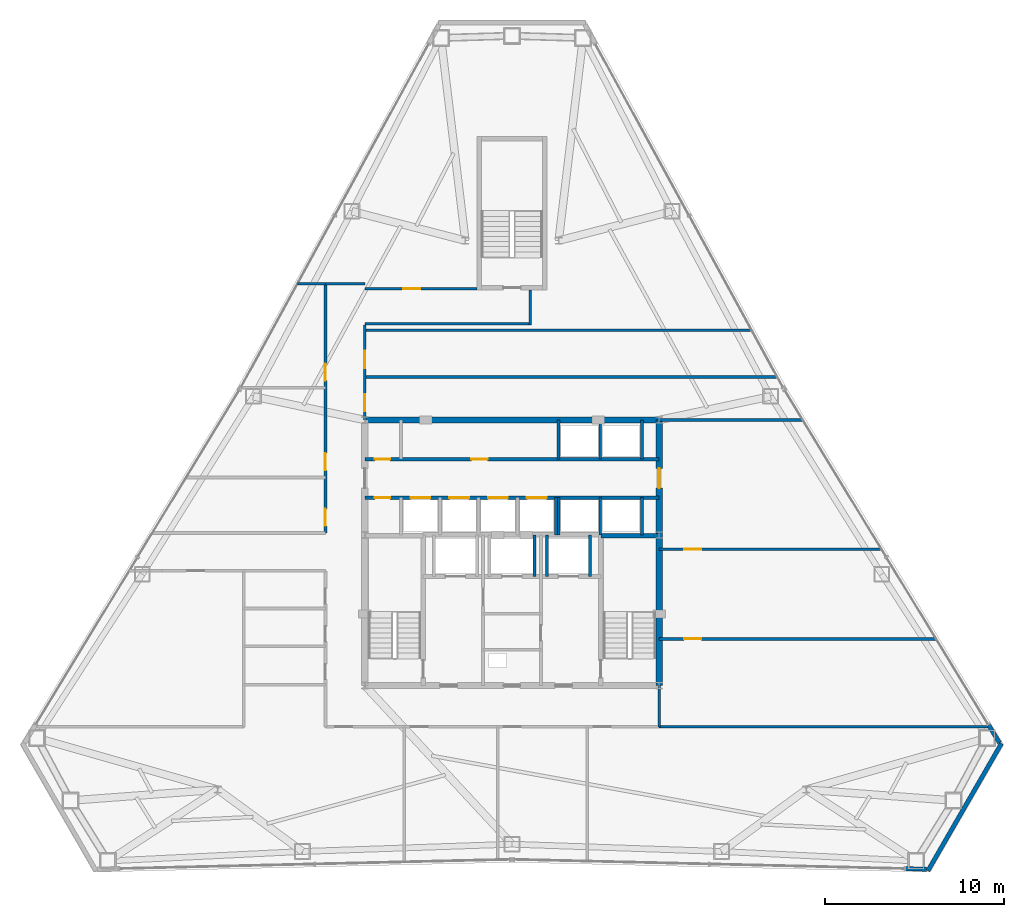
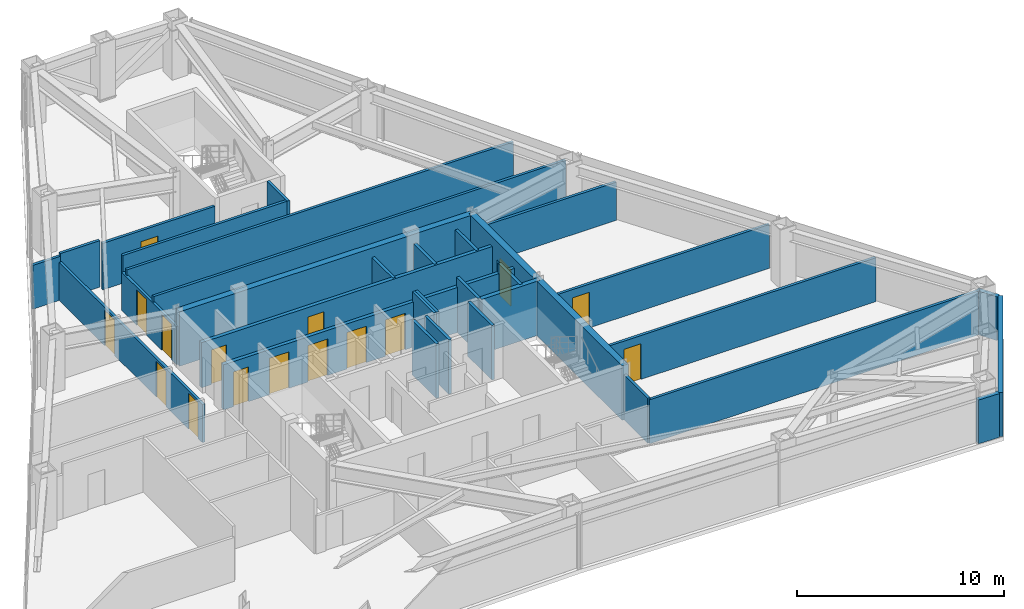
# One storey, part 9 of 11: 32 walls, 16 doors, 16 openings.
"""IFC4 building model written with IfcOpenShell, lengths in metres."""

from ifc_helpers import new_model, si_unit, direction, frame, frame_2d, origin, place, context, subcontext, project, spatial, rectangle, extrude, material, layer, layer_set, type_object, element, fill, save


model = new_model("IFC4")

# Units and contexts
model_context = context("Model", 3, precision=1e-05, world=origin(), true_north=direction((0.0, 1.0)))
body_context = subcontext(model_context, "Body", "Model", "MODEL_VIEW")
ifc_project = project(units=[si_unit("LENGTHUNIT", "METRE"), si_unit("AREAUNIT", "SQUARE_METRE"), si_unit("VOLUMEUNIT", "CUBIC_METRE"), si_unit("PLANEANGLEUNIT", "RADIAN"), si_unit("MASSUNIT", "GRAM", prefix="KILO")], contexts=[model_context])

# Site, building, storey
site_placement = place(None, origin())
site = spatial("IfcSite", under=ifc_project, at=site_placement, CompositionType="ELEMENT")
building_placement = place(site_placement, origin())
building = spatial("IfcBuilding", under=site, at=building_placement, Name="Varakhsha Concourse Tower", CompositionType="ELEMENT")
storey_placement = place(building_placement, frame((0.0, 0.0, 150.5)))
storey = spatial("IfcBuildingStorey", under=building, at=storey_placement, Name="L43", CompositionType="ELEMENT", Elevation=150.5)

# Wall
ifc_material_1 = material(Name="Concrete fc 65 MPa", Category="concrete")
ifc_layer_1 = layer(ifc_material_1, 0.35009765625, Name="WL-CORE-350")
ifc_layer_set_1 = layer_set([ifc_layer_1], Name="Concrete fc 65 MPa")
wall_type_1 = type_object("IfcWallType", Name="WL-CORE-350", PredefinedType="SHEAR", material=ifc_layer_set_1)
wall_1_placement = place(storey_placement, frame((31.800048828125, 31.199951171875, 0.0), z_axis=(0.0, 0.0, 1.0), x_axis=(1.0, 0.0, 0.0)))
element("IfcWall", 1, at=wall_1_placement, inside=storey, type_object=wall_type_1, Name="L43 Wall CWALL-N-L43", PredefinedType="SHEAR", context=body_context, shape_type="SweptSolid", body=[
    extrude(rectangle(XDim=16.39990234375, YDim=0.35009765625, at=frame_2d((8.199951171875, 0.0))), origin(), (0.0, 0.0, 1.0), 3.2099609375),
])

# Wall, opening, door
wall_2_placement = place(storey_placement, frame((48.199951171875, 16.39990234375, 0.0), z_axis=(0.0, 0.0, 1.0), x_axis=(0.0, 1.0, 0.0)))
wall_2 = element("IfcWall", 2, at=wall_2_placement, inside=storey, type_object=wall_type_1, Name="L43 Wall CWALL-E-L43", PredefinedType="SHEAR", context=body_context, shape_type="SweptSolid", body=[
    extrude(rectangle(XDim=14.800048828125, YDim=0.35009765625, at=frame_2d((7.39990234375, 0.0))), origin(), (0.0, 0.0, 1.0), 3.2099609375),
])
opening_1_placement = place(wall_2_placement, frame((11.0, 0.0, 0.0)))
opening_1 = element("IfcOpeningElement", 3, at=opening_1_placement, cuts=wall_2, Name="Opening DL-01", PredefinedType="OPENING", context=body_context, shape_type="SweptSolid", body=[
    extrude(rectangle(XDim=1.10009765625, YDim=2.14990234375, at=frame_2d((0.550048828125, 1.074951171875))), frame((0.0, 0.18505859375, 0.0), z_axis=(0.0, -1.0, 0.0), x_axis=(1.0, 0.0, 0.0)), (0.0, 0.0, 1.0), 0.3701171875),
])
ifc_material_2 = material(Name="Anodised Bronze Architectural Aluminium AA 6063-T6", Category="aluminium")
door_type_1 = type_object("IfcDoorType", Name="DR-LOB-1100", OperationType="NOTDEFINED", PredefinedType="DOOR", material=ifc_material_2)
door_1_placement = place(opening_1_placement, origin())
door_1 = element("IfcDoor", 4, at=door_1_placement, inside=storey, type_object=door_type_1, Name="L43 Lift Lobby East Concourse Door", OperationType="SINGLE_SWING_RIGHT", OverallHeight=2.14990234375, OverallWidth=1.10009765625, PredefinedType="DOOR", context=body_context, shape_type="SweptSolid", body=[
    extrude(rectangle(XDim=1.10009765625, YDim=2.14990234375, at=frame_2d((0.550048828125, 1.074951171875))), frame((0.0, 0.02490234375, 0.0), z_axis=(0.0, -1.0, 0.0), x_axis=(1.0, 0.0, 0.0)), (0.0, 0.0, 1.0), 0.050048828125),
])
fill(opening_1, door_1)

# Walls
ifc_material_3 = material(Name="Concrete fc 45 MPa", Category="concrete")
ifc_layer_2 = layer(ifc_material_3, 0.239990234375, Name="WL-EXT-CRN-240")
ifc_layer_set_2 = layer_set([ifc_layer_2], Name="Concrete fc 45 MPa")
wall_type_2 = type_object("IfcWallType", Name="WL-EXT-CRN-240", PredefinedType="SHEAR", material=ifc_layer_set_2)
wall_3_placement = place(storey_placement, frame((61.94482421875, 6.1923828125, 0.0), z_axis=(0.0, 0.0, 1.0), x_axis=(0.999723414456, -0.023517963121, 0.0)))
element("IfcWall", 5, at=wall_3_placement, inside=storey, type_object=wall_type_2, Name="L43 Wind-Corner Shoulder Wall F6", PredefinedType="SHEAR", context=body_context, shape_type="SweptSolid", body=[
    extrude(rectangle(XDim=1.16259765625, YDim=0.239990234375, at=frame_2d((0.581298828125, 0.0))), origin(), (0.0, 0.0, 1.0), 2.5830078125),
])
wall_4_placement = place(storey_placement, frame((67.28466796875, 13.181396484375, 0.0), z_axis=(0.0, 0.0, 1.0), x_axis=(-0.49999135188, -0.866030396721, 0.0)))
element("IfcWall", 6, at=wall_4_placement, inside=storey, type_object=wall_type_2, Name="L43 Chamfer Wind-Corner Insulated Wall F7", PredefinedType="SHEAR", context=body_context, shape_type="SweptSolid", body=[
    extrude(rectangle(XDim=8.199951171875, YDim=0.239990234375, at=frame_2d((4.10009765625, 0.0))), origin(), (0.0, 0.0, 1.0), 2.5830078125),
])
wall_5_placement = place(storey_placement, frame((67.172119140625, 13.2060546875, 0.0), z_axis=(0.0, 0.0, 1.0), x_axis=(-0.520166776588, 0.854064707463, 0.0)))
element("IfcWall", 7, at=wall_5_placement, inside=storey, type_object=wall_type_2, Name="L43 Wind-Corner Shoulder Wall F8", PredefinedType="SHEAR", context=body_context, shape_type="SweptSolid", body=[
    extrude(rectangle(XDim=1.16259765625, YDim=0.239990234375, at=frame_2d((0.581298828125, 0.0))), origin(), (0.0, 0.0, 1.0), 2.5830078125),
])
ifc_material_4 = material(Name="Fire-Rated Type X Gypsum Partition Assembly", Category="gypsum")
ifc_layer_3 = layer(ifc_material_4, 0.14990234375, Name="WL-PART-150")
ifc_layer_set_3 = layer_set([ifc_layer_3], Name="Fire-Rated Type X Gypsum Partition Assembly")
wall_type_3 = type_object("IfcWallType", Name="WL-PART-150", PredefinedType="PARTITIONING", material=ifc_layer_set_3)
wall_6_placement = place(storey_placement, frame((48.199951171875, 14.10009765625, 0.0), z_axis=(0.0, 0.0, 1.0), x_axis=(0.0, 1.0, 0.0)))
element("IfcWall", 8, at=wall_6_placement, inside=storey, type_object=wall_type_3, Name="L43 Wall CRW-SE-L43", PredefinedType="PARTITIONING", context=body_context, shape_type="SweptSolid", body=[
    extrude(rectangle(XDim=2.2998046875, YDim=0.14990234375, at=frame_2d((1.14990234375, 0.0))), origin(), (0.0, 0.0, 1.0), 2.660888671875),
])

# Wall, openings, doors
wall_7_placement = place(storey_placement, frame((29.60009765625, 24.89990234375, 0.0), z_axis=(0.0, 0.0, 1.0), x_axis=(0.0, 1.0, 0.0)))
wall_7 = element("IfcWall", 9, at=wall_7_placement, inside=storey, type_object=wall_type_3, Name="L43 Wall CRW-WN-L43", PredefinedType="PARTITIONING", context=body_context, shape_type="SweptSolid", body=[
    extrude(rectangle(XDim=13.900146484375, YDim=0.14990234375, at=frame_2d((6.9501953125, 0.0))), origin(), (0.0, 0.0, 1.0), 2.251953125),
])
opening_2_placement = place(wall_7_placement, frame((0.39990234375, 0.0, 0.0)))
opening_2 = element("IfcOpeningElement", 10, at=opening_2_placement, cuts=wall_7, Name="Opening DF-05", PredefinedType="OPENING", context=body_context, shape_type="SweptSolid", body=[
    extrude(rectangle(XDim=0.949951171875, YDim=2.10009765625, at=frame_2d((0.47509765625, 1.050048828125))), frame((0.0, 0.0849609375, 0.0), z_axis=(0.0, -1.0, 0.0), x_axis=(1.0, 0.0, 0.0)), (0.0, 0.0, 1.0), 0.169921875),
])
opening_3_placement = place(wall_7_placement, frame((3.5, 0.0, 0.0)))
opening_3 = element("IfcOpeningElement", 11, at=opening_3_placement, cuts=wall_7, Name="Opening DF-05", PredefinedType="OPENING", context=body_context, shape_type="SweptSolid", body=[
    extrude(rectangle(XDim=0.949951171875, YDim=2.10009765625, at=frame_2d((0.47509765625, 1.050048828125))), frame((0.0, 0.0849609375, 0.0), z_axis=(0.0, -1.0, 0.0), x_axis=(1.0, 0.0, 0.0)), (0.0, 0.0, 1.0), 0.169921875),
])
opening_4_placement = place(wall_7_placement, frame((8.5, 0.0, 0.0)))
opening_4 = element("IfcOpeningElement", 12, at=opening_4_placement, cuts=wall_7, Name="Opening DF-05", PredefinedType="OPENING", context=body_context, shape_type="SweptSolid", body=[
    extrude(rectangle(XDim=0.949951171875, YDim=2.10009765625, at=frame_2d((0.47509765625, 1.050048828125))), frame((0.0, 0.0849609375, 0.0), z_axis=(0.0, -1.0, 0.0), x_axis=(1.0, 0.0, 0.0)), (0.0, 0.0, 1.0), 0.169921875),
])
ifc_material_5 = material(Name="Hollow Galvanised Steel Fire Door Assembly", Category="steel")
door_type_2 = type_object("IfcDoorType", Name="DR-FD60-950", OperationType="NOTDEFINED", PredefinedType="DOOR", material=ifc_material_5)
door_2_placement = place(opening_2_placement, origin())
door_2 = element("IfcDoor", 13, at=door_2_placement, inside=storey, type_object=door_type_2, Name="L43 Executive Dining Pantry L43-NW Door", OperationType="SINGLE_SWING_LEFT", OverallHeight=2.10009765625, OverallWidth=0.949951171875, PredefinedType="DOOR", context=body_context, shape_type="SweptSolid", body=[
    extrude(rectangle(XDim=0.949951171875, YDim=2.10009765625, at=frame_2d((0.47509765625, 1.050048828125))), frame((0.0, 0.02490234375, 0.0), z_axis=(0.0, -1.0, 0.0), x_axis=(1.0, 0.0, 0.0)), (0.0, 0.0, 1.0), 0.050048828125),
])
fill(opening_2, door_2)
door_3_placement = place(opening_3_placement, origin())
door_3 = element("IfcDoor", 14, at=door_3_placement, inside=storey, type_object=door_type_2, Name="L43 Executive Director Suite L43-W2 Door", OperationType="SINGLE_SWING_RIGHT", OverallHeight=2.10009765625, OverallWidth=0.949951171875, PredefinedType="DOOR", context=body_context, shape_type="SweptSolid", body=[
    extrude(rectangle(XDim=0.949951171875, YDim=2.10009765625, at=frame_2d((0.47509765625, 1.050048828125))), frame((0.0, 0.02490234375, 0.0), z_axis=(0.0, -1.0, 0.0), x_axis=(1.0, 0.0, 0.0)), (0.0, 0.0, 1.0), 0.050048828125),
])
fill(opening_3, door_3)
door_4_placement = place(opening_4_placement, origin())
door_4 = element("IfcDoor", 15, at=door_4_placement, inside=storey, type_object=door_type_2, Name="L43 Executive Director Suite L43-W3 Door", OperationType="SINGLE_SWING_LEFT", OverallHeight=2.10009765625, OverallWidth=0.949951171875, PredefinedType="DOOR", context=body_context, shape_type="SweptSolid", body=[
    extrude(rectangle(XDim=0.949951171875, YDim=2.10009765625, at=frame_2d((0.47509765625, 1.050048828125))), frame((0.0, 0.02490234375, 0.0), z_axis=(0.0, -1.0, 0.0), x_axis=(1.0, 0.0, 0.0)), (0.0, 0.0, 1.0), 0.050048828125),
])
fill(opening_4, door_4)

wall_8_placement = place(storey_placement, frame((31.800048828125, 31.199951171875, 0.0), z_axis=(0.0, 0.0, 1.0), x_axis=(0.0, 1.0, 0.0)))
wall_8 = element("IfcWall", 16, at=wall_8_placement, inside=storey, type_object=wall_type_3, Name="L43 Wall CRW-NE-L43", PredefinedType="PARTITIONING", context=body_context, shape_type="SweptSolid", body=[
    extrude(rectangle(XDim=5.300048828125, YDim=0.14990234375, at=frame_2d((2.64990234375, 0.0))), origin(), (0.0, 0.0, 1.0), 2.251953125),
])
opening_5_placement = place(wall_8_placement, frame((0.5, 0.0, 0.0)))
opening_5 = element("IfcOpeningElement", 17, at=opening_5_placement, cuts=wall_8, Name="Opening DF-05", PredefinedType="OPENING", context=body_context, shape_type="SweptSolid", body=[
    extrude(rectangle(XDim=0.949951171875, YDim=2.10009765625, at=frame_2d((0.47509765625, 1.050048828125))), frame((0.0, 0.0849609375, 0.0), z_axis=(0.0, -1.0, 0.0), x_axis=(1.0, 0.0, 0.0)), (0.0, 0.0, 1.0), 0.169921875),
])
opening_6_placement = place(wall_8_placement, frame((2.89990234375, 0.0, 0.0)))
opening_6 = element("IfcOpeningElement", 18, at=opening_6_placement, cuts=wall_8, Name="Opening DF-05", PredefinedType="OPENING", context=body_context, shape_type="SweptSolid", body=[
    extrude(rectangle(XDim=0.949951171875, YDim=2.10009765625, at=frame_2d((0.47509765625, 1.050048828125))), frame((0.0, 0.0849609375, 0.0), z_axis=(0.0, -1.0, 0.0), x_axis=(1.0, 0.0, 0.0)), (0.0, 0.0, 1.0), 0.169921875),
])
door_5_placement = place(opening_5_placement, origin())
door_5 = element("IfcDoor", 19, at=door_5_placement, inside=storey, type_object=door_type_2, Name="L43 Mountain View Grand Corner Boardroom L43-NE1 Door", OperationType="SINGLE_SWING_RIGHT", OverallHeight=2.10009765625, OverallWidth=0.949951171875, PredefinedType="DOOR", context=body_context, shape_type="SweptSolid", body=[
    extrude(rectangle(XDim=0.949951171875, YDim=2.10009765625, at=frame_2d((0.47509765625, 1.050048828125))), frame((0.0, 0.02490234375, 0.0), z_axis=(0.0, -1.0, 0.0), x_axis=(1.0, 0.0, 0.0)), (0.0, 0.0, 1.0), 0.050048828125),
])
fill(opening_5, door_5)
door_6_placement = place(opening_6_placement, origin())
door_6 = element("IfcDoor", 20, at=door_6_placement, inside=storey, type_object=door_type_2, Name="L43 Apex Executive Director Suite L43-NE2 Door", OperationType="SINGLE_SWING_RIGHT", OverallHeight=2.10009765625, OverallWidth=0.949951171875, PredefinedType="DOOR", context=body_context, shape_type="SweptSolid", body=[
    extrude(rectangle(XDim=0.949951171875, YDim=2.10009765625, at=frame_2d((0.47509765625, 1.050048828125))), frame((0.0, 0.02490234375, 0.0), z_axis=(0.0, -1.0, 0.0), x_axis=(1.0, 0.0, 0.0)), (0.0, 0.0, 1.0), 0.050048828125),
])
fill(opening_6, door_6)

# Walls
wall_9_placement = place(storey_placement, frame((29.60009765625, 38.800048828125, 0.0), z_axis=(0.0, 0.0, 1.0), x_axis=(1.0, 0.0, 0.0)))
element("IfcWall", 21, at=wall_9_placement, inside=storey, type_object=wall_type_3, Name="L43 Wall CRW-NCAP-L43", PredefinedType="PARTITIONING", context=body_context, shape_type="SweptSolid", body=[
    extrude(rectangle(XDim=2.199951171875, YDim=0.14990234375, at=frame_2d((1.10009765625, 0.0))), origin(), (0.0, 0.0, 1.0), 2.742919921875),
])
wall_10_placement = place(storey_placement, frame((28.054443359375, 38.800048828125, 0.0), z_axis=(0.0, 0.0, 1.0), x_axis=(1.0, 0.0, 0.0)))
element("IfcWall", 22, at=wall_10_placement, inside=storey, type_object=wall_type_3, Name="L43 Wall ODIV-NWT-L43", PredefinedType="PARTITIONING", context=body_context, shape_type="SweptSolid", body=[
    extrude(rectangle(XDim=1.545654296875, YDim=0.14990234375, at=frame_2d((0.77294921875, 0.0))), origin(), (0.0, 0.0, 1.0), 2.589111328125),
])
wall_11_placement = place(storey_placement, frame((48.199951171875, 31.199951171875, 0.0), z_axis=(0.0, 0.0, 1.0), x_axis=(1.0, 0.0, 0.0)))
element("IfcWall", 23, at=wall_11_placement, inside=storey, type_object=wall_type_3, Name="L43 Wall ODIV-NEB-L43", PredefinedType="PARTITIONING", context=body_context, shape_type="SweptSolid", body=[
    extrude(rectangle(XDim=8.00830078125, YDim=0.14990234375, at=frame_2d((4.004150390625, 0.0))), origin(), (0.0, 0.0, 1.0), 2.251953125),
])
wall_12_placement = place(storey_placement, frame((31.800048828125, 33.60009765625, 0.0), z_axis=(0.0, 0.0, 1.0), x_axis=(1.0, 0.0, 0.0)))
element("IfcWall", 24, at=wall_12_placement, inside=storey, type_object=wall_type_3, Name="L43 Wall ODIV-NE1-L43", PredefinedType="PARTITIONING", context=body_context, shape_type="SweptSolid", body=[
    extrude(rectangle(XDim=22.987548828125, YDim=0.14990234375, at=frame_2d((11.49365234375, 0.0))), origin(), (0.0, 0.0, 1.0), 2.589111328125),
])
wall_13_placement = place(storey_placement, frame((31.800048828125, 36.199951171875, 0.0), z_axis=(0.0, 0.0, 1.0), x_axis=(1.0, 0.0, 0.0)))
element("IfcWall", 25, at=wall_13_placement, inside=storey, type_object=wall_type_3, Name="L43 Wall ODIV-NE2-L43", PredefinedType="PARTITIONING", context=body_context, shape_type="SweptSolid", body=[
    extrude(rectangle(XDim=21.566650390625, YDim=0.14990234375, at=frame_2d((10.783203125, 0.0))), origin(), (0.0, 0.0, 1.0), 2.589111328125),
])
wall_14_placement = place(storey_placement, frame((48.199951171875, 14.10009765625, 0.0), z_axis=(0.0, 0.0, 1.0), x_axis=(1.0, 0.0, 0.0)))
element("IfcWall", 26, at=wall_14_placement, inside=storey, type_object=wall_type_3, Name="L43 Wall ODIV-EB0-L43", PredefinedType="PARTITIONING", context=body_context, shape_type="SweptSolid", body=[
    extrude(rectangle(XDim=18.422119140625, YDim=0.14990234375, at=frame_2d((9.2109375, 0.0))), origin(), (0.0, 0.0, 1.0), 2.589111328125),
])

# Wall, opening, door
wall_15_placement = place(storey_placement, frame((48.199951171875, 19.0, 0.0), z_axis=(0.0, 0.0, 1.0), x_axis=(1.0, 0.0, 0.0)))
wall_15 = element("IfcWall", 27, at=wall_15_placement, inside=storey, type_object=wall_type_3, Name="L43 Wall ODIV-E1-L43", PredefinedType="PARTITIONING", context=body_context, shape_type="SweptSolid", body=[
    extrude(rectangle(XDim=15.43798828125, YDim=0.14990234375, at=frame_2d((7.718994140625, 0.0))), origin(), (0.0, 0.0, 1.0), 2.589111328125),
])
opening_7_placement = place(wall_15_placement, frame((1.39990234375, 0.0, 0.0)))
opening_7 = element("IfcOpeningElement", 28, at=opening_7_placement, cuts=wall_15, Name="Opening DF-05", PredefinedType="OPENING", context=body_context, shape_type="SweptSolid", body=[
    extrude(rectangle(XDim=0.949951171875, YDim=2.10009765625, at=frame_2d((0.47509765625, 1.050048828125))), frame((0.0, 0.0849609375, 0.0), z_axis=(0.0, -1.0, 0.0), x_axis=(1.0, 0.0, 0.0)), (0.0, 0.0, 1.0), 0.169921875),
])
door_7_placement = place(opening_7_placement, origin())
door_7 = element("IfcDoor", 29, at=door_7_placement, inside=storey, type_object=door_type_2, Name="L43 East Suite Interconnect Door 1", OperationType="SINGLE_SWING_LEFT", OverallHeight=2.10009765625, OverallWidth=0.949951171875, PredefinedType="DOOR", context=body_context, shape_type="SweptSolid", body=[
    extrude(rectangle(XDim=0.949951171875, YDim=2.10009765625, at=frame_2d((0.47509765625, 1.050048828125))), frame((0.0, 0.02490234375, 0.0), z_axis=(0.0, -1.0, 0.0), x_axis=(1.0, 0.0, 0.0)), (0.0, 0.0, 1.0), 0.050048828125),
])
fill(opening_7, door_7)

wall_16_placement = place(storey_placement, frame((48.199951171875, 24.0, 0.0), z_axis=(0.0, 0.0, 1.0), x_axis=(1.0, 0.0, 0.0)))
wall_16 = element("IfcWall", 30, at=wall_16_placement, inside=storey, type_object=wall_type_3, Name="L43 Wall ODIV-E2-L43", PredefinedType="PARTITIONING", context=body_context, shape_type="SweptSolid", body=[
    extrude(rectangle(XDim=12.39306640625, YDim=0.14990234375, at=frame_2d((6.196533203125, 0.0))), origin(), (0.0, 0.0, 1.0), 2.589111328125),
])
opening_8_placement = place(wall_16_placement, frame((1.39990234375, 0.0, 0.0)))
opening_8 = element("IfcOpeningElement", 31, at=opening_8_placement, cuts=wall_16, Name="Opening DF-05", PredefinedType="OPENING", context=body_context, shape_type="SweptSolid", body=[
    extrude(rectangle(XDim=0.949951171875, YDim=2.10009765625, at=frame_2d((0.47509765625, 1.050048828125))), frame((0.0, 0.0849609375, 0.0), z_axis=(0.0, -1.0, 0.0), x_axis=(1.0, 0.0, 0.0)), (0.0, 0.0, 1.0), 0.169921875),
])
door_8_placement = place(opening_8_placement, origin())
door_8 = element("IfcDoor", 32, at=door_8_placement, inside=storey, type_object=door_type_2, Name="L43 East Suite Interconnect Door 2", OperationType="SINGLE_SWING_RIGHT", OverallHeight=2.10009765625, OverallWidth=0.949951171875, PredefinedType="DOOR", context=body_context, shape_type="SweptSolid", body=[
    extrude(rectangle(XDim=0.949951171875, YDim=2.10009765625, at=frame_2d((0.47509765625, 1.050048828125))), frame((0.0, 0.02490234375, 0.0), z_axis=(0.0, -1.0, 0.0), x_axis=(1.0, 0.0, 0.0)), (0.0, 0.0, 1.0), 0.050048828125),
])
fill(opening_8, door_8)

# Wall
wall_17_placement = place(storey_placement, frame((31.800048828125, 36.574951171875, 0.0), z_axis=(0.0, 0.0, 1.0), x_axis=(1.0, 0.0, 0.0)))
element("IfcWall", 33, at=wall_17_placement, inside=storey, type_object=wall_type_3, Name="L43 Wall STLK-S-L43", PredefinedType="PARTITIONING", context=body_context, shape_type="SweptSolid", body=[
    extrude(rectangle(XDim=9.14990234375, YDim=0.14990234375, at=frame_2d((4.574951171875, 0.0))), origin(), (0.0, 0.0, 1.0), 3.2099609375),
])

# Wall, opening, door
wall_18_placement = place(storey_placement, frame((31.800048828125, 38.52490234375, 0.0), z_axis=(0.0, 0.0, 1.0), x_axis=(1.0, 0.0, 0.0)))
wall_18 = element("IfcWall", 34, at=wall_18_placement, inside=storey, type_object=wall_type_3, Name="L43 Wall STLK-N-L43", PredefinedType="PARTITIONING", context=body_context, shape_type="SweptSolid", body=[
    extrude(rectangle(XDim=6.25, YDim=0.14990234375, at=frame_2d((3.125, 0.0))), origin(), (0.0, 0.0, 1.0), 2.742919921875),
])
opening_9_placement = place(wall_18_placement, frame((2.125, 0.0, 0.0)))
opening_9 = element("IfcOpeningElement", 35, at=opening_9_placement, cuts=wall_18, Name="Opening DF-05", PredefinedType="OPENING", context=body_context, shape_type="SweptSolid", body=[
    extrude(rectangle(XDim=0.949951171875, YDim=2.10009765625, at=frame_2d((0.47509765625, 1.050048828125))), frame((0.0, 0.0849609375, 0.0), z_axis=(0.0, -1.0, 0.0), x_axis=(1.0, 0.0, 0.0)), (0.0, 0.0, 1.0), 0.169921875),
])
door_9_placement = place(opening_9_placement, origin())
door_9 = element("IfcDoor", 36, at=door_9_placement, inside=storey, type_object=door_type_2, Name="L43 Apex Executive Director Suite L43-NE3 Door", OperationType="SINGLE_SWING_RIGHT", OverallHeight=2.10009765625, OverallWidth=0.949951171875, PredefinedType="DOOR", context=body_context, shape_type="SweptSolid", body=[
    extrude(rectangle(XDim=0.949951171875, YDim=2.10009765625, at=frame_2d((0.47509765625, 1.050048828125))), frame((0.0, 0.02490234375, 0.0), z_axis=(0.0, -1.0, 0.0), x_axis=(1.0, 0.0, 0.0)), (0.0, 0.0, 1.0), 0.050048828125),
])
fill(opening_9, door_9)

# Walls
wall_19_placement = place(storey_placement, frame((41.02490234375, 36.5, 0.0), z_axis=(0.0, 0.0, 1.0), x_axis=(0.0, 1.0, 0.0)))
element("IfcWall", 37, at=wall_19_placement, inside=storey, type_object=wall_type_3, Name="L43 Wall STLK-E-L43", PredefinedType="PARTITIONING", context=body_context, shape_type="SweptSolid", body=[
    extrude(rectangle(XDim=1.949951171875, YDim=0.14990234375, at=frame_2d((0.97509765625, 0.0))), origin(), (0.0, 0.0, 1.0), 3.2099609375),
])
ifc_layer_4 = layer(ifc_material_4, 0.199951171875, Name="WL-SHAFT-220")
ifc_layer_set_4 = layer_set([ifc_layer_4], Name="Fire-Rated Type X Gypsum Partition Assembly")
wall_type_4 = type_object("IfcWallType", Name="WL-SHAFT-220", PredefinedType="SOLIDWALL", material=ifc_layer_set_4)
for number, where, z_axis, x_axis, name in (
    (38, (41.949951171875, 22.47998046875, 0.0), (0.0, 0.0, 1.0), (0.0, 1.0, 0.0), "L43 Wall SHW-FFL-2-W-L43"),
    (39, (44.35009765625, 22.47998046875, 0.0), (0.0, 0.0, 1.0), (0.0, 1.0, 0.0), "L43 Wall SHW-FFL-2-E-L43"),
    (40, (41.25, 22.47998046875, 0.0), (0.0, 0.0, 1.0), (0.0, 1.0, 0.0), "L43 Wall SHW-SVL-1-E-L43"),
):
    element("IfcWall", number, at=place(storey_placement, frame(where, z_axis=z_axis, x_axis=x_axis)), inside=storey, type_object=wall_type_4, Name=name, PredefinedType="SOLIDWALL", context=body_context, shape_type="SweptSolid", body=[
        extrude(rectangle(XDim=2.320068359375, YDim=0.159912109375, at=frame_2d((1.16015625, 0.0))), origin(), (0.0, 0.0, 1.0), 3.2099609375),
    ])

# Wall, openings, doors
wall_20_placement = place(storey_placement, frame((31.800048828125, 29.02001953125, 0.0), z_axis=(0.0, 0.0, 1.0), x_axis=(1.0, 0.0, 0.0)))
wall_20 = element("IfcWall", 41, at=wall_20_placement, inside=storey, type_object=wall_type_4, Name="L43 Wall PLW-N-L43", PredefinedType="SOLIDWALL", context=body_context, shape_type="SweptSolid", body=[
    extrude(rectangle(XDim=16.39990234375, YDim=0.199951171875, at=frame_2d((8.199951171875, 0.0))), origin(), (0.0, 0.0, 1.0), 2.660888671875),
])
opening_10_placement = place(wall_20_placement, frame((0.550048828125, 0.0, 0.0)))
opening_10 = element("IfcOpeningElement", 42, at=opening_10_placement, cuts=wall_20, Name="Opening DF-07", PredefinedType="OPENING", context=body_context, shape_type="SweptSolid", body=[
    extrude(rectangle(XDim=0.85009765625, YDim=2.050048828125, at=frame_2d((0.425048828125, 1.02490234375))), frame((0.0, 0.10986328125, 0.0), z_axis=(0.0, -1.0, 0.0), x_axis=(1.0, 0.0, 0.0)), (0.0, 0.0, 1.0), 0.219970703125),
])
opening_11_placement = place(wall_20_placement, frame((5.93994140625, 0.0, 0.0)))
opening_11 = element("IfcOpeningElement", 43, at=opening_11_placement, cuts=wall_20, Name="Opening DF-06", PredefinedType="OPENING", context=body_context, shape_type="SweptSolid", body=[
    extrude(rectangle(XDim=0.89990234375, YDim=2.10009765625, at=frame_2d((0.449951171875, 1.050048828125))), frame((0.0, 0.10986328125, 0.0), z_axis=(0.0, -1.0, 0.0), x_axis=(1.0, 0.0, 0.0)), (0.0, 0.0, 1.0), 0.219970703125),
])
door_type_3 = type_object("IfcDoorType", Name="DR-FD60-850", OperationType="NOTDEFINED", PredefinedType="DOOR", material=ifc_material_5)
door_10_placement = place(opening_10_placement, origin())
door_10 = element("IfcDoor", 44, at=door_10_placement, inside=storey, type_object=door_type_3, Name="L43 Core Janitor Closet Door", OperationType="SINGLE_SWING_LEFT", OverallHeight=2.050048828125, OverallWidth=0.85009765625, PredefinedType="DOOR", context=body_context, shape_type="SweptSolid", body=[
    extrude(rectangle(XDim=0.85009765625, YDim=2.050048828125, at=frame_2d((0.425048828125, 1.02490234375))), frame((0.0, 0.02490234375, 0.0), z_axis=(0.0, -1.0, 0.0), x_axis=(1.0, 0.0, 0.0)), (0.0, 0.0, 1.0), 0.050048828125),
])
fill(opening_10, door_10)
door_type_4 = type_object("IfcDoorType", Name="DR-FD60-900", OperationType="NOTDEFINED", PredefinedType="DOOR", material=ifc_material_5)
door_11_placement = place(opening_11_placement, origin())
door_11 = element("IfcDoor", 45, at=door_11_placement, inside=storey, type_object=door_type_4, Name="L43 Tenant Archive and IT Server Room Door", OperationType="SINGLE_SWING_LEFT", OverallHeight=2.10009765625, OverallWidth=0.89990234375, PredefinedType="DOOR", context=body_context, shape_type="SweptSolid", body=[
    extrude(rectangle(XDim=0.89990234375, YDim=2.10009765625, at=frame_2d((0.449951171875, 1.050048828125))), frame((0.0, 0.02490234375, 0.0), z_axis=(0.0, -1.0, 0.0), x_axis=(1.0, 0.0, 0.0)), (0.0, 0.0, 1.0), 0.050048828125),
])
fill(opening_11, door_11)

wall_21_placement = place(storey_placement, frame((31.800048828125, 26.8798828125, 0.0), z_axis=(0.0, 0.0, 1.0), x_axis=(1.0, 0.0, 0.0)))
wall_21 = element("IfcWall", 46, at=wall_21_placement, inside=storey, type_object=wall_type_4, Name="L43 Wall PLW-S-L43", PredefinedType="SOLIDWALL", context=body_context, shape_type="SweptSolid", body=[
    extrude(rectangle(XDim=16.39990234375, YDim=0.199951171875, at=frame_2d((8.199951171875, 0.0))), origin(), (0.0, 0.0, 1.0), 2.660888671875),
])
opening_12_placement = place(wall_21_placement, frame((0.550048828125, 0.0, 0.0)))
opening_12 = element("IfcOpeningElement", 47, at=opening_12_placement, cuts=wall_21, Name="Opening DF-07", PredefinedType="OPENING", context=body_context, shape_type="SweptSolid", body=[
    extrude(rectangle(XDim=0.85009765625, YDim=2.050048828125, at=frame_2d((0.425048828125, 1.02490234375))), frame((0.0, 0.10986328125, 0.0), z_axis=(0.0, -1.0, 0.0), x_axis=(1.0, 0.0, 0.0)), (0.0, 0.0, 1.0), 0.219970703125),
])
opening_13_placement = place(wall_21_placement, frame((2.550048828125, 0.0, 0.0)))
opening_13 = element("IfcOpeningElement", 48, at=opening_13_placement, cuts=wall_21, Name="Opening LD-LF-P05", PredefinedType="OPENING", context=body_context, shape_type="SweptSolid", body=[
    extrude(rectangle(XDim=1.10009765625, YDim=2.14990234375, at=frame_2d((0.550048828125, 1.074951171875))), frame((0.0, 0.10986328125, 0.0), z_axis=(0.0, -1.0, 0.0), x_axis=(1.0, 0.0, 0.0)), (0.0, 0.0, 1.0), 0.219970703125),
])
opening_14_placement = place(wall_21_placement, frame((4.7099609375, 0.0, 0.0)))
opening_14 = element("IfcOpeningElement", 49, at=opening_14_placement, cuts=wall_21, Name="Opening LD-LF-P06", PredefinedType="OPENING", context=body_context, shape_type="SweptSolid", body=[
    extrude(rectangle(XDim=1.10009765625, YDim=2.14990234375, at=frame_2d((0.550048828125, 1.074951171875))), frame((0.0, 0.10986328125, 0.0), z_axis=(0.0, -1.0, 0.0), x_axis=(1.0, 0.0, 0.0)), (0.0, 0.0, 1.0), 0.219970703125),
])
opening_15_placement = place(wall_21_placement, frame((6.8701171875, 0.0, 0.0)))
opening_15 = element("IfcOpeningElement", 50, at=opening_15_placement, cuts=wall_21, Name="Opening LD-LF-P07", PredefinedType="OPENING", context=body_context, shape_type="SweptSolid", body=[
    extrude(rectangle(XDim=1.10009765625, YDim=2.14990234375, at=frame_2d((0.550048828125, 1.074951171875))), frame((0.0, 0.10986328125, 0.0), z_axis=(0.0, -1.0, 0.0), x_axis=(1.0, 0.0, 0.0)), (0.0, 0.0, 1.0), 0.219970703125),
])
opening_16_placement = place(wall_21_placement, frame((9.030029296875, 0.0, 0.0)))
opening_16 = element("IfcOpeningElement", 51, at=opening_16_placement, cuts=wall_21, Name="Opening LD-LF-P08", PredefinedType="OPENING", context=body_context, shape_type="SweptSolid", body=[
    extrude(rectangle(XDim=1.10009765625, YDim=2.14990234375, at=frame_2d((0.550048828125, 1.074951171875))), frame((0.0, 0.10986328125, 0.0), z_axis=(0.0, -1.0, 0.0), x_axis=(1.0, 0.0, 0.0)), (0.0, 0.0, 1.0), 0.219970703125),
])
door_12_placement = place(opening_12_placement, origin())
door_12 = element("IfcDoor", 52, at=door_12_placement, inside=storey, type_object=door_type_3, Name="L43 Core Telecoms Closet Door", OperationType="SINGLE_SWING_RIGHT", OverallHeight=2.050048828125, OverallWidth=0.85009765625, PredefinedType="DOOR", context=body_context, shape_type="SweptSolid", body=[
    extrude(rectangle(XDim=0.85009765625, YDim=2.050048828125, at=frame_2d((0.425048828125, 1.02490234375))), frame((0.0, 0.02490234375, 0.0), z_axis=(0.0, -1.0, 0.0), x_axis=(1.0, 0.0, 0.0)), (0.0, 0.0, 1.0), 0.050048828125),
])
fill(opening_12, door_12)
ifc_material_6 = material(Name="Brushed Austenitic Stainless Steel AISI 316", Category="steel")
door_type_5 = type_object("IfcDoorType", Name="DR-LD-1100", OperationType="DOUBLE_DOOR_SLIDING", PredefinedType="DOOR", material=ifc_material_6)
door_13_placement = place(opening_13_placement, origin())
door_13 = element("IfcDoor", 53, at=door_13_placement, inside=storey, type_object=door_type_5, Name="Lift Landing Door LF-P05 L43", OperationType="DOUBLE_DOOR_SLIDING", OverallHeight=2.14990234375, OverallWidth=1.10009765625, PredefinedType="DOOR", context=body_context, shape_type="SweptSolid", body=[
    extrude(rectangle(XDim=1.10009765625, YDim=2.14990234375, at=frame_2d((0.550048828125, 1.074951171875))), frame((0.0, 0.02490234375, 0.0), z_axis=(0.0, -1.0, 0.0), x_axis=(1.0, 0.0, 0.0)), (0.0, 0.0, 1.0), 0.050048828125),
])
fill(opening_13, door_13)
door_14_placement = place(opening_14_placement, origin())
door_14 = element("IfcDoor", 54, at=door_14_placement, inside=storey, type_object=door_type_5, Name="Lift Landing Door LF-P06 L43", OperationType="DOUBLE_DOOR_SLIDING", OverallHeight=2.14990234375, OverallWidth=1.10009765625, PredefinedType="DOOR", context=body_context, shape_type="SweptSolid", body=[
    extrude(rectangle(XDim=1.10009765625, YDim=2.14990234375, at=frame_2d((0.550048828125, 1.074951171875))), frame((0.0, 0.02490234375, 0.0), z_axis=(0.0, -1.0, 0.0), x_axis=(1.0, 0.0, 0.0)), (0.0, 0.0, 1.0), 0.050048828125),
])
fill(opening_14, door_14)
door_15_placement = place(opening_15_placement, origin())
door_15 = element("IfcDoor", 55, at=door_15_placement, inside=storey, type_object=door_type_5, Name="Lift Landing Door LF-P07 L43", OperationType="DOUBLE_DOOR_SLIDING", OverallHeight=2.14990234375, OverallWidth=1.10009765625, PredefinedType="DOOR", context=body_context, shape_type="SweptSolid", body=[
    extrude(rectangle(XDim=1.10009765625, YDim=2.14990234375, at=frame_2d((0.550048828125, 1.074951171875))), frame((0.0, 0.02490234375, 0.0), z_axis=(0.0, -1.0, 0.0), x_axis=(1.0, 0.0, 0.0)), (0.0, 0.0, 1.0), 0.050048828125),
])
fill(opening_15, door_15)
door_16_placement = place(opening_16_placement, origin())
door_16 = element("IfcDoor", 56, at=door_16_placement, inside=storey, type_object=door_type_5, Name="Lift Landing Door LF-P08 L43", OperationType="DOUBLE_DOOR_SLIDING", OverallHeight=2.14990234375, OverallWidth=1.10009765625, PredefinedType="DOOR", context=body_context, shape_type="SweptSolid", body=[
    extrude(rectangle(XDim=1.10009765625, YDim=2.14990234375, at=frame_2d((0.550048828125, 1.074951171875))), frame((0.0, 0.02490234375, 0.0), z_axis=(0.0, -1.0, 0.0), x_axis=(1.0, 0.0, 0.0)), (0.0, 0.0, 1.0), 0.050048828125),
])
fill(opening_16, door_16)

# Walls
wall_22_placement = place(storey_placement, frame((42.4599609375, 24.800048828125, 0.0), z_axis=(0.0, 0.0, 1.0), x_axis=(0.0, 1.0, 0.0)))
element("IfcWall", 57, at=wall_22_placement, inside=storey, type_object=wall_type_4, Name="L43 Wall SHW-LF-P08-E-L43", PredefinedType="SOLIDWALL", context=body_context, shape_type="SweptSolid", body=[
    extrude(rectangle(XDim=2.079833984375, YDim=0.159912109375, at=frame_2d((1.0400390625, 0.0))), origin(), (0.0, 0.0, 1.0), 3.2099609375),
])
for number, where, z_axis, x_axis, name in (
    (58, (42.60009765625, 29.02001953125, 0.0), (0.0, 0.0, 1.0), (0.0, 1.0, 0.0), "L43 Wall SHW-LF-P09-W-L43"),
    (59, (44.919921875, 29.02001953125, 0.0), (0.0, 0.0, 1.0), (0.0, 1.0, 0.0), "L43 Wall SHW-LF-P09-E-L43"),
    (60, (47.239990234375, 29.02001953125, 0.0), (0.0, 0.0, 1.0), (0.0, 1.0, 0.0), "L43 Wall SHW-LF-P10-E-L43"),
):
    element("IfcWall", number, at=place(storey_placement, frame(where, z_axis=z_axis, x_axis=x_axis)), inside=storey, type_object=wall_type_4, Name=name, PredefinedType="SOLIDWALL", context=body_context, shape_type="SweptSolid", body=[
        extrude(rectangle(XDim=2.179931640625, YDim=0.159912109375, at=frame_2d((1.08984375, 0.0))), origin(), (0.0, 0.0, 1.0), 2.660888671875),
    ])
for number, where, z_axis, x_axis, name in (
    (61, (42.60009765625, 24.800048828125, 0.0), (0.0, 0.0, 1.0), (0.0, 1.0, 0.0), "L43 Wall SHW-LF-P11-W-L43"),
    (62, (44.919921875, 24.800048828125, 0.0), (0.0, 0.0, 1.0), (0.0, 1.0, 0.0), "L43 Wall SHW-LF-P11-E-L43"),
    (63, (47.239990234375, 24.800048828125, 0.0), (0.0, 0.0, 1.0), (0.0, 1.0, 0.0), "L43 Wall SHW-LF-P12-E-L43"),
):
    element("IfcWall", number, at=place(storey_placement, frame(where, z_axis=z_axis, x_axis=x_axis)), inside=storey, type_object=wall_type_4, Name=name, PredefinedType="SOLIDWALL", context=body_context, shape_type="SweptSolid", body=[
        extrude(rectangle(XDim=2.079833984375, YDim=0.159912109375, at=frame_2d((1.0400390625, 0.0))), origin(), (0.0, 0.0, 1.0), 3.2099609375),
    ])
ifc_layer_5 = layer(ifc_material_3, 0.25, Name="WL-STAIR-250")
ifc_layer_set_5 = layer_set([ifc_layer_5], Name="Concrete fc 45 MPa")
wall_type_5 = type_object("IfcWallType", Name="WL-STAIR-250", PredefinedType="SHEAR", material=ifc_layer_set_5)
wall_23_placement = place(storey_placement, frame((44.955078125, 24.7548828125, 0.0), z_axis=(0.0, 0.0, 1.0), x_axis=(1.0, 0.0, 0.0)))
element("IfcWall", 64, at=wall_23_placement, inside=storey, type_object=wall_type_5, Name="L43 Wall SWALL-ST2-N-L43", PredefinedType="SHEAR", context=body_context, shape_type="SweptSolid", body=[
    extrude(rectangle(XDim=3.244873046875, YDim=0.25, at=frame_2d((1.62255859375, 0.0))), origin(), (0.0, 0.0, 1.0), 3.2099609375),
])

save(model, "model.ifc")
